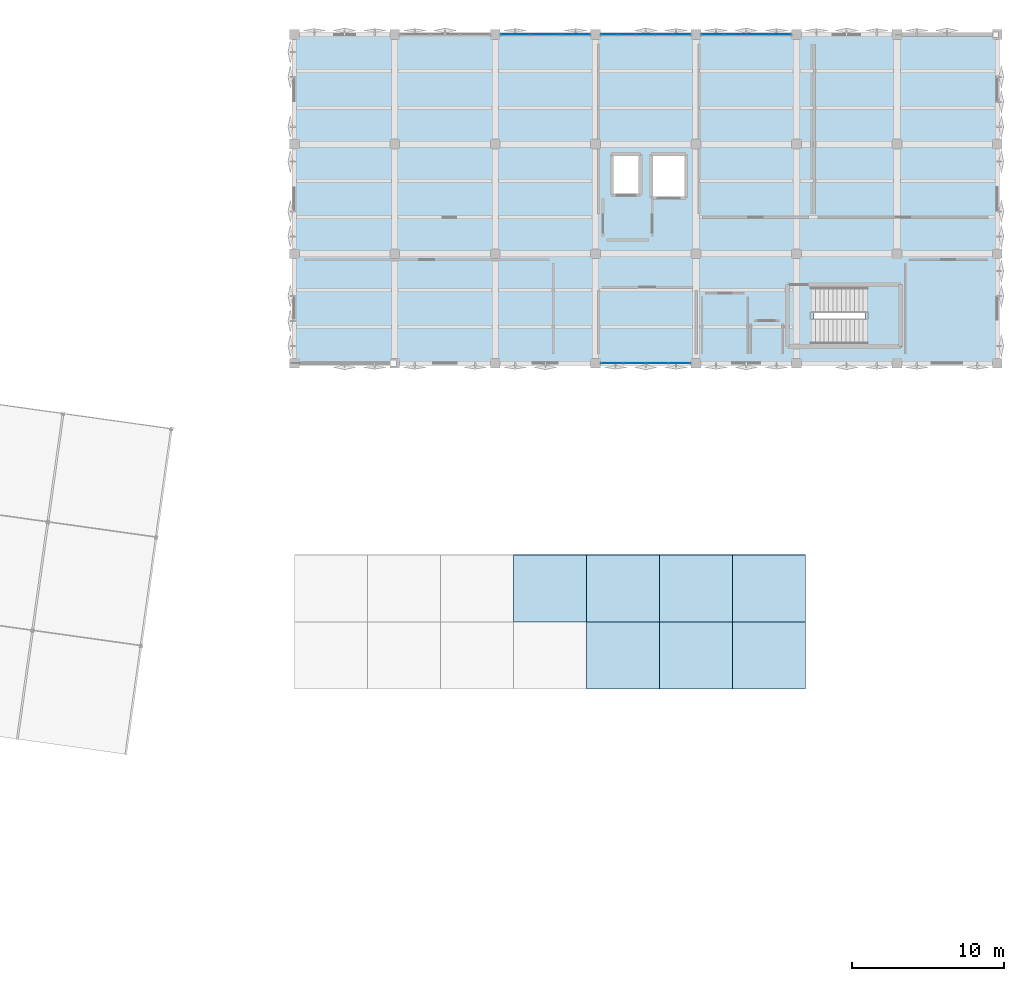
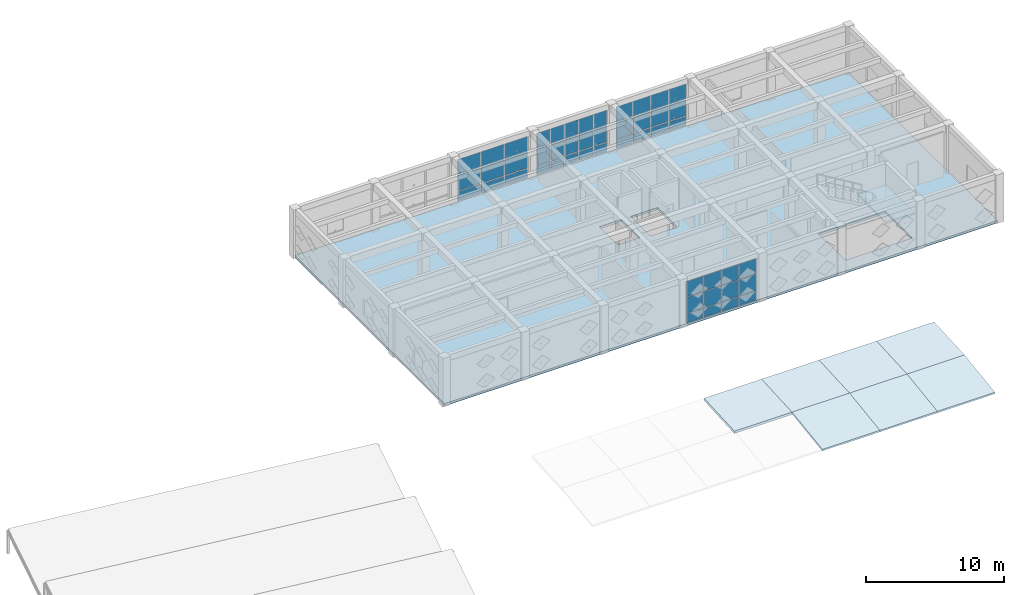
# One storey, part 30 of 48: 48 plates, 9 slabs, 5 elements without a shape of their own.
"""IFC4 building model written with IfcOpenShell, lengths in metres."""

from ifc_helpers import new_model, si_unit, direction, frame, origin, origin_2d, place, context, subcontext, project, spatial, polyline, rectangle, outline, extrude, material, layer, layer_set, type_object, element, aggregate, save


model = new_model("IFC4")

# Units and contexts
model_context = context("Model", 3, precision=1e-05, world=origin(), true_north=direction((0.0, 1.0)))
body_context = subcontext(model_context, "Body", "Model", "MODEL_VIEW")
ifc_project = project(units=[si_unit("LENGTHUNIT", "METRE"), si_unit("AREAUNIT", "SQUARE_METRE"), si_unit("VOLUMEUNIT", "CUBIC_METRE"), si_unit("PLANEANGLEUNIT", "RADIAN"), si_unit("MASSUNIT", "GRAM", prefix="KILO")], contexts=[model_context])

# Site, building, storey
site_placement = place(None, origin())
site = spatial("IfcSite", under=ifc_project, at=site_placement, CompositionType="ELEMENT")
building_placement = place(site_placement, origin())
building = spatial("IfcBuilding", under=site, at=building_placement, Name="Kharisveld Research Institute", CompositionType="ELEMENT")
storey_placement = place(building_placement, frame((0.0, 0.0, 14.10009765625)))
storey = spatial("IfcBuildingStorey", under=building, at=storey_placement, Name="L03", CompositionType="ELEMENT", Elevation=14.10009765625)

# Curtain wall, plates
ifc_material_1 = material(Name="Thermally Broken Aluminium Curtain Wall", Category="aluminium")
ifc_layer_1 = layer(ifc_material_1, 0.159912109375)
ifc_layer_set_1 = layer_set([ifc_layer_1], Name="CW_SYS_06")
curtain_wall_type_1 = type_object("IfcCurtainWallType", Name="CW_SYS_06", PredefinedType="NOTDEFINED", material=ifc_layer_set_1)
curtain_wall_1_placement = place(storey_placement, origin())
curtain_wall_1 = element("IfcCurtainWall", 1, at=curtain_wall_1_placement, inside=storey, type_object=curtain_wall_type_1, Name="CW:V2:L03:N2", PredefinedType="NOTDEFINED")
ifc_material_2 = material(Name="Low-E Double Glazing", Category="glass")
ifc_layer_2 = layer(ifc_material_2, 0.028076171875)
ifc_layer_set_2 = layer_set([ifc_layer_2], Name="CW_PNL_GLZ")
plate_type = type_object("IfcPlateType", Name="CW_PNL_GLZ", PredefinedType="CURTAIN_PANEL", material=ifc_layer_set_2)
plate_1_placement = place(storey_placement, frame((129.129638671875, 60.800048828125, 0.059814453125), z_axis=(0.0, 0.0, 1.0), x_axis=(1.0, 0.0, 0.0)))
plate_1 = element("IfcPlate", 2, at=plate_1_placement, type_object=plate_type, Name="CW-06 panel 1.1", PredefinedType="CURTAIN_PANEL", context=body_context, shape_type="SweptSolid", body=[
    extrude(rectangle(XDim=1.88916015625, YDim=0.028076171875, at=origin_2d()), origin(), (0.0, 0.0, 1.0), 0.81005859375),
])
plate_2_placement = place(storey_placement, frame((129.129638671875, 60.800048828125, 0.93017578125), z_axis=(0.0, 0.0, 1.0), x_axis=(1.0, 0.0, 0.0)))
plate_2 = element("IfcPlate", 3, at=plate_2_placement, type_object=plate_type, Name="CW-06 panel 1.2", PredefinedType="CURTAIN_PANEL", context=body_context, shape_type="SweptSolid", body=[
    extrude(rectangle(XDim=1.88916015625, YDim=0.028076171875, at=origin_2d()), origin(), (0.0, 0.0, 1.0), 1.389892578125),
])
plate_3_placement = place(storey_placement, frame((129.129638671875, 60.800048828125, 2.3798828125), z_axis=(0.0, 0.0, 1.0), x_axis=(1.0, 0.0, 0.0)))
plate_3 = element("IfcPlate", 4, at=plate_3_placement, type_object=plate_type, Name="CW-06 panel 1.3", PredefinedType="CURTAIN_PANEL", context=body_context, shape_type="SweptSolid", body=[
    extrude(rectangle(XDim=1.88916015625, YDim=0.028076171875, at=origin_2d()), origin(), (0.0, 0.0, 1.0), 1.340087890625),
])
plate_4_placement = place(storey_placement, frame((131.10009765625, 60.800048828125, 0.059814453125), z_axis=(0.0, 0.0, 1.0), x_axis=(1.0, 0.0, 0.0)))
plate_4 = element("IfcPlate", 5, at=plate_4_placement, type_object=plate_type, Name="CW-06 panel 2.1", PredefinedType="CURTAIN_PANEL", context=body_context, shape_type="SweptSolid", body=[
    extrude(rectangle(XDim=1.921630859375, YDim=0.028076171875, at=origin_2d()), origin(), (0.0, 0.0, 1.0), 0.81005859375),
])
plate_5_placement = place(storey_placement, frame((131.10009765625, 60.800048828125, 0.93017578125), z_axis=(0.0, 0.0, 1.0), x_axis=(1.0, 0.0, 0.0)))
plate_5 = element("IfcPlate", 6, at=plate_5_placement, type_object=plate_type, Name="CW-06 panel 2.2", PredefinedType="CURTAIN_PANEL", context=body_context, shape_type="SweptSolid", body=[
    extrude(rectangle(XDim=1.921630859375, YDim=0.028076171875, at=origin_2d()), origin(), (0.0, 0.0, 1.0), 1.389892578125),
])
plate_6_placement = place(storey_placement, frame((131.10009765625, 60.800048828125, 2.3798828125), z_axis=(0.0, 0.0, 1.0), x_axis=(1.0, 0.0, 0.0)))
plate_6 = element("IfcPlate", 7, at=plate_6_placement, type_object=plate_type, Name="CW-06 panel 2.3", PredefinedType="CURTAIN_PANEL", context=body_context, shape_type="SweptSolid", body=[
    extrude(rectangle(XDim=1.921630859375, YDim=0.028076171875, at=origin_2d()), origin(), (0.0, 0.0, 1.0), 1.340087890625),
])
plate_7_placement = place(storey_placement, frame((133.0703125, 60.800048828125, 0.059814453125), z_axis=(0.0, 0.0, 1.0), x_axis=(1.0, 0.0, 0.0)))
plate_7 = element("IfcPlate", 8, at=plate_7_placement, type_object=plate_type, Name="CW-06 panel 3.1", PredefinedType="CURTAIN_PANEL", context=body_context, shape_type="SweptSolid", body=[
    extrude(rectangle(XDim=1.88916015625, YDim=0.028076171875, at=origin_2d()), origin(), (0.0, 0.0, 1.0), 0.81005859375),
])
plate_8_placement = place(storey_placement, frame((133.0703125, 60.800048828125, 0.93017578125), z_axis=(0.0, 0.0, 1.0), x_axis=(1.0, 0.0, 0.0)))
plate_8 = element("IfcPlate", 9, at=plate_8_placement, type_object=plate_type, Name="CW-06 panel 3.2", PredefinedType="CURTAIN_PANEL", context=body_context, shape_type="SweptSolid", body=[
    extrude(rectangle(XDim=1.88916015625, YDim=0.028076171875, at=origin_2d()), origin(), (0.0, 0.0, 1.0), 1.389892578125),
])
plate_9_placement = place(storey_placement, frame((133.0703125, 60.800048828125, 2.3798828125), z_axis=(0.0, 0.0, 1.0), x_axis=(1.0, 0.0, 0.0)))
plate_9 = element("IfcPlate", 10, at=plate_9_placement, type_object=plate_type, Name="CW-06 panel 3.3", PredefinedType="CURTAIN_PANEL", context=body_context, shape_type="SweptSolid", body=[
    extrude(rectangle(XDim=1.88916015625, YDim=0.028076171875, at=origin_2d()), origin(), (0.0, 0.0, 1.0), 1.340087890625),
])
aggregate(curtain_wall_1, [plate_1, plate_2, plate_3, plate_4, plate_5, plate_6, plate_7, plate_8, plate_9])

ifc_material_3 = material(Name="Thermally Broken Aluminium Curtain Wall", Category="aluminium")
ifc_layer_3 = layer(ifc_material_3, 0.159912109375)
ifc_layer_set_3 = layer_set([ifc_layer_3], Name="CW_SYS_01")
curtain_wall_type_2 = type_object("IfcCurtainWallType", Name="CW_SYS_01", PredefinedType="NOTDEFINED", material=ifc_layer_set_3)
curtain_wall_2_placement = place(storey_placement, origin())
curtain_wall_2 = element("IfcCurtainWall", 11, at=curtain_wall_2_placement, inside=storey, type_object=curtain_wall_type_2, Name="CW:V2:L03:N3", PredefinedType="NOTDEFINED")
plate_10_placement = place(storey_placement, frame((135.332275390625, 60.800048828125, 0.059814453125), z_axis=(0.0, 0.0, 1.0), x_axis=(1.0, 0.0, 0.0)))
plate_10 = element("IfcPlate", 12, at=plate_10_placement, type_object=plate_type, Name="CW-01 panel 1.1", PredefinedType="CURTAIN_PANEL", context=body_context, shape_type="SweptSolid", body=[
    extrude(rectangle(XDim=1.094482421875, YDim=0.028076171875, at=origin_2d()), origin(), (0.0, 0.0, 1.0), 0.81005859375),
])
plate_11_placement = place(storey_placement, frame((135.332275390625, 60.800048828125, 0.93017578125), z_axis=(0.0, 0.0, 1.0), x_axis=(1.0, 0.0, 0.0)))
plate_11 = element("IfcPlate", 13, at=plate_11_placement, type_object=plate_type, Name="CW-01 panel 1.2", PredefinedType="CURTAIN_PANEL", context=body_context, shape_type="SweptSolid", body=[
    extrude(rectangle(XDim=1.094482421875, YDim=0.028076171875, at=origin_2d()), origin(), (0.0, 0.0, 1.0), 1.389892578125),
])
plate_12_placement = place(storey_placement, frame((135.332275390625, 60.800048828125, 2.3798828125), z_axis=(0.0, 0.0, 1.0), x_axis=(1.0, 0.0, 0.0)))
plate_12 = element("IfcPlate", 14, at=plate_12_placement, type_object=plate_type, Name="CW-01 panel 1.3", PredefinedType="CURTAIN_PANEL", context=body_context, shape_type="SweptSolid", body=[
    extrude(rectangle(XDim=1.094482421875, YDim=0.028076171875, at=origin_2d()), origin(), (0.0, 0.0, 1.0), 1.340087890625),
])
plate_13_placement = place(storey_placement, frame((136.508056640625, 60.800048828125, 0.059814453125), z_axis=(0.0, 0.0, 1.0), x_axis=(1.0, 0.0, 0.0)))
plate_13 = element("IfcPlate", 15, at=plate_13_placement, type_object=plate_type, Name="CW-01 panel 2.1", PredefinedType="CURTAIN_PANEL", context=body_context, shape_type="SweptSolid", body=[
    extrude(rectangle(XDim=1.126953125, YDim=0.028076171875, at=origin_2d()), origin(), (0.0, 0.0, 1.0), 0.81005859375),
])
plate_14_placement = place(storey_placement, frame((136.508056640625, 60.800048828125, 0.93017578125), z_axis=(0.0, 0.0, 1.0), x_axis=(1.0, 0.0, 0.0)))
plate_14 = element("IfcPlate", 16, at=plate_14_placement, type_object=plate_type, Name="CW-01 panel 2.2", PredefinedType="CURTAIN_PANEL", context=body_context, shape_type="SweptSolid", body=[
    extrude(rectangle(XDim=1.126953125, YDim=0.028076171875, at=origin_2d()), origin(), (0.0, 0.0, 1.0), 1.389892578125),
])
plate_15_placement = place(storey_placement, frame((136.508056640625, 60.800048828125, 2.3798828125), z_axis=(0.0, 0.0, 1.0), x_axis=(1.0, 0.0, 0.0)))
plate_15 = element("IfcPlate", 17, at=plate_15_placement, type_object=plate_type, Name="CW-01 panel 2.3", PredefinedType="CURTAIN_PANEL", context=body_context, shape_type="SweptSolid", body=[
    extrude(rectangle(XDim=1.126953125, YDim=0.028076171875, at=origin_2d()), origin(), (0.0, 0.0, 1.0), 1.340087890625),
])
plate_16_placement = place(storey_placement, frame((137.699951171875, 60.800048828125, 0.059814453125), z_axis=(0.0, 0.0, 1.0), x_axis=(1.0, 0.0, 0.0)))
plate_16 = element("IfcPlate", 18, at=plate_16_placement, type_object=plate_type, Name="CW-01 panel 3.1", PredefinedType="CURTAIN_PANEL", context=body_context, shape_type="SweptSolid", body=[
    extrude(rectangle(XDim=1.126953125, YDim=0.028076171875, at=origin_2d()), origin(), (0.0, 0.0, 1.0), 0.81005859375),
])
plate_17_placement = place(storey_placement, frame((137.699951171875, 60.800048828125, 0.93017578125), z_axis=(0.0, 0.0, 1.0), x_axis=(1.0, 0.0, 0.0)))
plate_17 = element("IfcPlate", 19, at=plate_17_placement, type_object=plate_type, Name="CW-01 panel 3.2", PredefinedType="CURTAIN_PANEL", context=body_context, shape_type="SweptSolid", body=[
    extrude(rectangle(XDim=1.126953125, YDim=0.028076171875, at=origin_2d()), origin(), (0.0, 0.0, 1.0), 1.389892578125),
])
plate_18_placement = place(storey_placement, frame((137.699951171875, 60.800048828125, 2.3798828125), z_axis=(0.0, 0.0, 1.0), x_axis=(1.0, 0.0, 0.0)))
plate_18 = element("IfcPlate", 20, at=plate_18_placement, type_object=plate_type, Name="CW-01 panel 3.3", PredefinedType="CURTAIN_PANEL", context=body_context, shape_type="SweptSolid", body=[
    extrude(rectangle(XDim=1.126953125, YDim=0.028076171875, at=origin_2d()), origin(), (0.0, 0.0, 1.0), 1.340087890625),
])
plate_19_placement = place(storey_placement, frame((138.89208984375, 60.800048828125, 0.059814453125), z_axis=(0.0, 0.0, 1.0), x_axis=(1.0, 0.0, 0.0)))
plate_19 = element("IfcPlate", 21, at=plate_19_placement, type_object=plate_type, Name="CW-01 panel 4.1", PredefinedType="CURTAIN_PANEL", context=body_context, shape_type="SweptSolid", body=[
    extrude(rectangle(XDim=1.126953125, YDim=0.028076171875, at=origin_2d()), origin(), (0.0, 0.0, 1.0), 0.81005859375),
])
plate_20_placement = place(storey_placement, frame((138.89208984375, 60.800048828125, 0.93017578125), z_axis=(0.0, 0.0, 1.0), x_axis=(1.0, 0.0, 0.0)))
plate_20 = element("IfcPlate", 22, at=plate_20_placement, type_object=plate_type, Name="CW-01 panel 4.2", PredefinedType="CURTAIN_PANEL", context=body_context, shape_type="SweptSolid", body=[
    extrude(rectangle(XDim=1.126953125, YDim=0.028076171875, at=origin_2d()), origin(), (0.0, 0.0, 1.0), 1.389892578125),
])
plate_21_placement = place(storey_placement, frame((138.89208984375, 60.800048828125, 2.3798828125), z_axis=(0.0, 0.0, 1.0), x_axis=(1.0, 0.0, 0.0)))
plate_21 = element("IfcPlate", 23, at=plate_21_placement, type_object=plate_type, Name="CW-01 panel 4.3", PredefinedType="CURTAIN_PANEL", context=body_context, shape_type="SweptSolid", body=[
    extrude(rectangle(XDim=1.126953125, YDim=0.028076171875, at=origin_2d()), origin(), (0.0, 0.0, 1.0), 1.340087890625),
])
plate_22_placement = place(storey_placement, frame((140.06787109375, 60.800048828125, 0.059814453125), z_axis=(0.0, 0.0, 1.0), x_axis=(1.0, 0.0, 0.0)))
plate_22 = element("IfcPlate", 24, at=plate_22_placement, type_object=plate_type, Name="CW-01 panel 5.1", PredefinedType="CURTAIN_PANEL", context=body_context, shape_type="SweptSolid", body=[
    extrude(rectangle(XDim=1.094482421875, YDim=0.028076171875, at=origin_2d()), origin(), (0.0, 0.0, 1.0), 0.81005859375),
])
plate_23_placement = place(storey_placement, frame((140.06787109375, 60.800048828125, 0.93017578125), z_axis=(0.0, 0.0, 1.0), x_axis=(1.0, 0.0, 0.0)))
plate_23 = element("IfcPlate", 25, at=plate_23_placement, type_object=plate_type, Name="CW-01 panel 5.2", PredefinedType="CURTAIN_PANEL", context=body_context, shape_type="SweptSolid", body=[
    extrude(rectangle(XDim=1.094482421875, YDim=0.028076171875, at=origin_2d()), origin(), (0.0, 0.0, 1.0), 1.389892578125),
])
plate_24_placement = place(storey_placement, frame((140.06787109375, 60.800048828125, 2.3798828125), z_axis=(0.0, 0.0, 1.0), x_axis=(1.0, 0.0, 0.0)))
plate_24 = element("IfcPlate", 26, at=plate_24_placement, type_object=plate_type, Name="CW-01 panel 5.3", PredefinedType="CURTAIN_PANEL", context=body_context, shape_type="SweptSolid", body=[
    extrude(rectangle(XDim=1.094482421875, YDim=0.028076171875, at=origin_2d()), origin(), (0.0, 0.0, 1.0), 1.340087890625),
])
aggregate(curtain_wall_2, [plate_10, plate_11, plate_12, plate_13, plate_14, plate_15, plate_16, plate_17, plate_18, plate_19, plate_20, plate_21, plate_22, plate_23, plate_24])

ifc_material_4 = material(Name="Thermally Broken Aluminium Curtain Wall", Category="aluminium")
ifc_layer_4 = layer(ifc_material_4, 0.159912109375)
ifc_layer_set_4 = layer_set([ifc_layer_4], Name="CW_SYS_02")
curtain_wall_type_3 = type_object("IfcCurtainWallType", Name="CW_SYS_02", PredefinedType="NOTDEFINED", material=ifc_layer_set_4)
curtain_wall_3_placement = place(storey_placement, origin())
curtain_wall_3 = element("IfcCurtainWall", 27, at=curtain_wall_3_placement, inside=storey, type_object=curtain_wall_type_3, Name="CW:V2:L03:N4", PredefinedType="NOTDEFINED")
plate_25_placement = place(storey_placement, frame((142.081298828125, 60.800048828125, 0.059814453125), z_axis=(0.0, 0.0, 1.0), x_axis=(1.0, 0.0, 0.0)))
plate_25 = element("IfcPlate", 28, at=plate_25_placement, type_object=plate_type, Name="CW-02 panel 1.1", PredefinedType="CURTAIN_PANEL", context=body_context, shape_type="SweptSolid", body=[
    extrude(rectangle(XDim=1.392578125, YDim=0.028076171875, at=origin_2d()), origin(), (0.0, 0.0, 1.0), 0.81005859375),
])
plate_26_placement = place(storey_placement, frame((142.081298828125, 60.800048828125, 0.93017578125), z_axis=(0.0, 0.0, 1.0), x_axis=(1.0, 0.0, 0.0)))
plate_26 = element("IfcPlate", 29, at=plate_26_placement, type_object=plate_type, Name="CW-02 panel 1.2", PredefinedType="CURTAIN_PANEL", context=body_context, shape_type="SweptSolid", body=[
    extrude(rectangle(XDim=1.392578125, YDim=0.028076171875, at=origin_2d()), origin(), (0.0, 0.0, 1.0), 1.389892578125),
])
plate_27_placement = place(storey_placement, frame((142.081298828125, 60.800048828125, 2.3798828125), z_axis=(0.0, 0.0, 1.0), x_axis=(1.0, 0.0, 0.0)))
plate_27 = element("IfcPlate", 30, at=plate_27_placement, type_object=plate_type, Name="CW-02 panel 1.3", PredefinedType="CURTAIN_PANEL", context=body_context, shape_type="SweptSolid", body=[
    extrude(rectangle(XDim=1.392578125, YDim=0.028076171875, at=origin_2d()), origin(), (0.0, 0.0, 1.0), 1.340087890625),
])
plate_28_placement = place(storey_placement, frame((143.554931640625, 60.800048828125, 0.059814453125), z_axis=(0.0, 0.0, 1.0), x_axis=(1.0, 0.0, 0.0)))
plate_28 = element("IfcPlate", 31, at=plate_28_placement, type_object=plate_type, Name="CW-02 panel 2.1", PredefinedType="CURTAIN_PANEL", context=body_context, shape_type="SweptSolid", body=[
    extrude(rectangle(XDim=1.425048828125, YDim=0.028076171875, at=origin_2d()), origin(), (0.0, 0.0, 1.0), 0.81005859375),
])
plate_29_placement = place(storey_placement, frame((143.554931640625, 60.800048828125, 0.93017578125), z_axis=(0.0, 0.0, 1.0), x_axis=(1.0, 0.0, 0.0)))
plate_29 = element("IfcPlate", 32, at=plate_29_placement, type_object=plate_type, Name="CW-02 panel 2.2", PredefinedType="CURTAIN_PANEL", context=body_context, shape_type="SweptSolid", body=[
    extrude(rectangle(XDim=1.425048828125, YDim=0.028076171875, at=origin_2d()), origin(), (0.0, 0.0, 1.0), 1.389892578125),
])
plate_30_placement = place(storey_placement, frame((143.554931640625, 60.800048828125, 2.3798828125), z_axis=(0.0, 0.0, 1.0), x_axis=(1.0, 0.0, 0.0)))
plate_30 = element("IfcPlate", 33, at=plate_30_placement, type_object=plate_type, Name="CW-02 panel 2.3", PredefinedType="CURTAIN_PANEL", context=body_context, shape_type="SweptSolid", body=[
    extrude(rectangle(XDim=1.425048828125, YDim=0.028076171875, at=origin_2d()), origin(), (0.0, 0.0, 1.0), 1.340087890625),
])
plate_31_placement = place(storey_placement, frame((145.044921875, 60.800048828125, 0.059814453125), z_axis=(0.0, 0.0, 1.0), x_axis=(1.0, 0.0, 0.0)))
plate_31 = element("IfcPlate", 34, at=plate_31_placement, type_object=plate_type, Name="CW-02 panel 3.1", PredefinedType="CURTAIN_PANEL", context=body_context, shape_type="SweptSolid", body=[
    extrude(rectangle(XDim=1.425048828125, YDim=0.028076171875, at=origin_2d()), origin(), (0.0, 0.0, 1.0), 0.81005859375),
])
plate_32_placement = place(storey_placement, frame((145.044921875, 60.800048828125, 0.93017578125), z_axis=(0.0, 0.0, 1.0), x_axis=(1.0, 0.0, 0.0)))
plate_32 = element("IfcPlate", 35, at=plate_32_placement, type_object=plate_type, Name="CW-02 panel 3.2", PredefinedType="CURTAIN_PANEL", context=body_context, shape_type="SweptSolid", body=[
    extrude(rectangle(XDim=1.425048828125, YDim=0.028076171875, at=origin_2d()), origin(), (0.0, 0.0, 1.0), 1.389892578125),
])
plate_33_placement = place(storey_placement, frame((145.044921875, 60.800048828125, 2.3798828125), z_axis=(0.0, 0.0, 1.0), x_axis=(1.0, 0.0, 0.0)))
plate_33 = element("IfcPlate", 36, at=plate_33_placement, type_object=plate_type, Name="CW-02 panel 3.3", PredefinedType="CURTAIN_PANEL", context=body_context, shape_type="SweptSolid", body=[
    extrude(rectangle(XDim=1.425048828125, YDim=0.028076171875, at=origin_2d()), origin(), (0.0, 0.0, 1.0), 1.340087890625),
])
plate_34_placement = place(storey_placement, frame((146.518798828125, 60.800048828125, 0.059814453125), z_axis=(0.0, 0.0, 1.0), x_axis=(1.0, 0.0, 0.0)))
plate_34 = element("IfcPlate", 37, at=plate_34_placement, type_object=plate_type, Name="CW-02 panel 4.1", PredefinedType="CURTAIN_PANEL", context=body_context, shape_type="SweptSolid", body=[
    extrude(rectangle(XDim=1.392578125, YDim=0.028076171875, at=origin_2d()), origin(), (0.0, 0.0, 1.0), 0.81005859375),
])
plate_35_placement = place(storey_placement, frame((146.518798828125, 60.800048828125, 0.93017578125), z_axis=(0.0, 0.0, 1.0), x_axis=(1.0, 0.0, 0.0)))
plate_35 = element("IfcPlate", 38, at=plate_35_placement, type_object=plate_type, Name="CW-02 panel 4.2", PredefinedType="CURTAIN_PANEL", context=body_context, shape_type="SweptSolid", body=[
    extrude(rectangle(XDim=1.392578125, YDim=0.028076171875, at=origin_2d()), origin(), (0.0, 0.0, 1.0), 1.389892578125),
])
plate_36_placement = place(storey_placement, frame((146.518798828125, 60.800048828125, 2.3798828125), z_axis=(0.0, 0.0, 1.0), x_axis=(1.0, 0.0, 0.0)))
plate_36 = element("IfcPlate", 39, at=plate_36_placement, type_object=plate_type, Name="CW-02 panel 4.3", PredefinedType="CURTAIN_PANEL", context=body_context, shape_type="SweptSolid", body=[
    extrude(rectangle(XDim=1.392578125, YDim=0.028076171875, at=origin_2d()), origin(), (0.0, 0.0, 1.0), 1.340087890625),
])
aggregate(curtain_wall_3, [plate_25, plate_26, plate_27, plate_28, plate_29, plate_30, plate_31, plate_32, plate_33, plate_34, plate_35, plate_36])

ifc_material_5 = material(Name="Thermally Broken Aluminium Curtain Wall", Category="aluminium")
ifc_layer_5 = layer(ifc_material_5, 0.159912109375)
ifc_layer_set_5 = layer_set([ifc_layer_5], Name="CW_SYS_03")
curtain_wall_type_4 = type_object("IfcCurtainWallType", Name="CW_SYS_03", PredefinedType="NOTDEFINED", material=ifc_layer_set_5)
curtain_wall_4_placement = place(storey_placement, origin())
curtain_wall_4 = element("IfcCurtainWall", 40, at=curtain_wall_4_placement, inside=storey, type_object=curtain_wall_type_4, Name="CW:V2:L03:S4", PredefinedType="NOTDEFINED")
plate_37_placement = place(storey_placement, frame((139.918701171875, 39.199951171875, 0.059814453125), z_axis=(0.0, 0.0, 1.0), x_axis=(-1.0, 0.0, 0.0)))
plate_37 = element("IfcPlate", 41, at=plate_37_placement, type_object=plate_type, Name="CW-03 panel 1.1", PredefinedType="CURTAIN_PANEL", context=body_context, shape_type="SweptSolid", body=[
    extrude(rectangle(XDim=1.392578125, YDim=0.028076171875, at=origin_2d()), origin(), (0.0, 0.0, 1.0), 0.81005859375),
])
plate_38_placement = place(storey_placement, frame((139.918701171875, 39.199951171875, 0.93017578125), z_axis=(0.0, 0.0, 1.0), x_axis=(-1.0, 0.0, 0.0)))
plate_38 = element("IfcPlate", 42, at=plate_38_placement, type_object=plate_type, Name="CW-03 panel 1.2", PredefinedType="CURTAIN_PANEL", context=body_context, shape_type="SweptSolid", body=[
    extrude(rectangle(XDim=1.392578125, YDim=0.028076171875, at=origin_2d()), origin(), (0.0, 0.0, 1.0), 1.389892578125),
])
plate_39_placement = place(storey_placement, frame((139.918701171875, 39.199951171875, 2.3798828125), z_axis=(0.0, 0.0, 1.0), x_axis=(-1.0, 0.0, 0.0)))
plate_39 = element("IfcPlate", 43, at=plate_39_placement, type_object=plate_type, Name="CW-03 panel 1.3", PredefinedType="CURTAIN_PANEL", context=body_context, shape_type="SweptSolid", body=[
    extrude(rectangle(XDim=1.392578125, YDim=0.028076171875, at=origin_2d()), origin(), (0.0, 0.0, 1.0), 1.340087890625),
])
plate_40_placement = place(storey_placement, frame((138.445068359375, 39.199951171875, 0.059814453125), z_axis=(0.0, 0.0, 1.0), x_axis=(-1.0, 0.0, 0.0)))
plate_40 = element("IfcPlate", 44, at=plate_40_placement, type_object=plate_type, Name="CW-03 panel 2.1", PredefinedType="CURTAIN_PANEL", context=body_context, shape_type="SweptSolid", body=[
    extrude(rectangle(XDim=1.425048828125, YDim=0.028076171875, at=origin_2d()), origin(), (0.0, 0.0, 1.0), 0.81005859375),
])
plate_41_placement = place(storey_placement, frame((138.445068359375, 39.199951171875, 0.93017578125), z_axis=(0.0, 0.0, 1.0), x_axis=(-1.0, 0.0, 0.0)))
plate_41 = element("IfcPlate", 45, at=plate_41_placement, type_object=plate_type, Name="CW-03 panel 2.2", PredefinedType="CURTAIN_PANEL", context=body_context, shape_type="SweptSolid", body=[
    extrude(rectangle(XDim=1.425048828125, YDim=0.028076171875, at=origin_2d()), origin(), (0.0, 0.0, 1.0), 1.389892578125),
])
plate_42_placement = place(storey_placement, frame((138.445068359375, 39.199951171875, 2.3798828125), z_axis=(0.0, 0.0, 1.0), x_axis=(-1.0, 0.0, 0.0)))
plate_42 = element("IfcPlate", 46, at=plate_42_placement, type_object=plate_type, Name="CW-03 panel 2.3", PredefinedType="CURTAIN_PANEL", context=body_context, shape_type="SweptSolid", body=[
    extrude(rectangle(XDim=1.425048828125, YDim=0.028076171875, at=origin_2d()), origin(), (0.0, 0.0, 1.0), 1.340087890625),
])
plate_43_placement = place(storey_placement, frame((136.955078125, 39.199951171875, 0.059814453125), z_axis=(0.0, 0.0, 1.0), x_axis=(-1.0, 0.0, 0.0)))
plate_43 = element("IfcPlate", 47, at=plate_43_placement, type_object=plate_type, Name="CW-03 panel 3.1", PredefinedType="CURTAIN_PANEL", context=body_context, shape_type="SweptSolid", body=[
    extrude(rectangle(XDim=1.425048828125, YDim=0.028076171875, at=origin_2d()), origin(), (0.0, 0.0, 1.0), 0.81005859375),
])
plate_44_placement = place(storey_placement, frame((136.955078125, 39.199951171875, 0.93017578125), z_axis=(0.0, 0.0, 1.0), x_axis=(-1.0, 0.0, 0.0)))
plate_44 = element("IfcPlate", 48, at=plate_44_placement, type_object=plate_type, Name="CW-03 panel 3.2", PredefinedType="CURTAIN_PANEL", context=body_context, shape_type="SweptSolid", body=[
    extrude(rectangle(XDim=1.425048828125, YDim=0.028076171875, at=origin_2d()), origin(), (0.0, 0.0, 1.0), 1.389892578125),
])
plate_45_placement = place(storey_placement, frame((136.955078125, 39.199951171875, 2.3798828125), z_axis=(0.0, 0.0, 1.0), x_axis=(-1.0, 0.0, 0.0)))
plate_45 = element("IfcPlate", 49, at=plate_45_placement, type_object=plate_type, Name="CW-03 panel 3.3", PredefinedType="CURTAIN_PANEL", context=body_context, shape_type="SweptSolid", body=[
    extrude(rectangle(XDim=1.425048828125, YDim=0.028076171875, at=origin_2d()), origin(), (0.0, 0.0, 1.0), 1.340087890625),
])
plate_46_placement = place(storey_placement, frame((135.481201171875, 39.199951171875, 0.059814453125), z_axis=(0.0, 0.0, 1.0), x_axis=(-1.0, 0.0, 0.0)))
plate_46 = element("IfcPlate", 50, at=plate_46_placement, type_object=plate_type, Name="CW-03 panel 4.1", PredefinedType="CURTAIN_PANEL", context=body_context, shape_type="SweptSolid", body=[
    extrude(rectangle(XDim=1.392578125, YDim=0.028076171875, at=origin_2d()), origin(), (0.0, 0.0, 1.0), 0.81005859375),
])
plate_47_placement = place(storey_placement, frame((135.481201171875, 39.199951171875, 0.93017578125), z_axis=(0.0, 0.0, 1.0), x_axis=(-1.0, 0.0, 0.0)))
plate_47 = element("IfcPlate", 51, at=plate_47_placement, type_object=plate_type, Name="CW-03 panel 4.2", PredefinedType="CURTAIN_PANEL", context=body_context, shape_type="SweptSolid", body=[
    extrude(rectangle(XDim=1.392578125, YDim=0.028076171875, at=origin_2d()), origin(), (0.0, 0.0, 1.0), 1.389892578125),
])
plate_48_placement = place(storey_placement, frame((135.481201171875, 39.199951171875, 2.3798828125), z_axis=(0.0, 0.0, 1.0), x_axis=(-1.0, 0.0, 0.0)))
plate_48 = element("IfcPlate", 52, at=plate_48_placement, type_object=plate_type, Name="CW-03 panel 4.3", PredefinedType="CURTAIN_PANEL", context=body_context, shape_type="SweptSolid", body=[
    extrude(rectangle(XDim=1.392578125, YDim=0.028076171875, at=origin_2d()), origin(), (0.0, 0.0, 1.0), 1.340087890625),
])
aggregate(curtain_wall_4, [plate_37, plate_38, plate_39, plate_40, plate_41, plate_42, plate_43, plate_44, plate_45, plate_46, plate_47, plate_48])

# Slab
ifc_material_6 = material(Name="Concrete C40/50", Category="concrete")
ifc_layer_6 = layer(ifc_material_6, 0.199951171875)
ifc_layer_set_6 = layer_set([ifc_layer_6], Name="SL_FLR_200")
slab_type_1 = type_object("IfcSlabType", Name="SL_FLR_200", PredefinedType="FLOOR", material=ifc_layer_set_6)
slab_1_placement = place(storey_placement, frame((0.0, 0.0, -0.2001953125)))
element("IfcSlab", 53, at=slab_1_placement, inside=storey, type_object=slab_type_1, Name="SLAB:V2:L03:MAIN", PredefinedType="FLOOR", context=body_context, shape_type="SweptSolid", body=[
    extrude(outline(polyline([(114.60009765625, 39.199951171875), (160.800048828125, 39.199951171875), (160.800048828125, 60.800048828125), (114.60009765625, 60.800048828125), (114.60009765625, 39.199951171875)]), holes=[polyline([(154.35009765625, 44.260009765625), (154.35009765625, 40.39990234375), (148.75, 40.39990234375), (148.75, 44.260009765625), (154.35009765625, 44.260009765625)]), polyline([(140.320068359375, 50.080078125), (138.080078125, 50.080078125), (138.080078125, 52.919921875), (140.320068359375, 52.919921875), (140.320068359375, 50.080078125)]), polyline([(137.320068359375, 50.280029296875), (135.47998046875, 50.280029296875), (135.47998046875, 52.919921875), (137.320068359375, 52.919921875), (137.320068359375, 50.280029296875)])]), origin(), (0.0, 0.0, 1.0), 0.2001953125),
])

# Stair, slab
ifc_material_7 = material(Name="Concrete C40/50", Category="concrete")
stair_type = type_object("IfcStairType", Name="ST_EXIT_170", PredefinedType="TWO_STRAIGHT_RUN_STAIR", material=ifc_material_7)
stair_placement = place(storey_placement, origin())
stair = element("IfcStair", 54, at=stair_placement, inside=storey, type_object=stair_type, Name="STR:ST3:L03", PredefinedType="TWO_STRAIGHT_RUN_STAIR")
ifc_material_8 = material(Name="Concrete C40/50", Category="concrete")
ifc_layer_7 = layer(ifc_material_8, 0.179931640625)
ifc_layer_set_7 = layer_set([ifc_layer_7], Name="SL_LND_180")
slab_type_2 = type_object("IfcSlabType", Name="SL_LND_180", PredefinedType="LANDING", material=ifc_layer_set_7)
slab_2_placement = place(storey_placement, frame((0.0, 0.0, 2.06982421875)))
slab_2 = element("IfcSlab", 55, at=slab_2_placement, type_object=slab_type_2, Name="ST-03 landing 1", PredefinedType="LANDING", context=body_context, shape_type="SweptSolid", body=[
    extrude(outline(polyline([(152.094970703125, 40.27001953125), (154.5, 40.27001953125), (154.5, 44.389892578125), (152.094970703125, 44.389892578125), (152.094970703125, 40.27001953125)])), origin(), (0.0, 0.0, 1.0), 0.18017578125),
])
aggregate(stair, [slab_2])

# Slabs
ifc_material_9 = material(Name="Concrete C40/50", Category="concrete")
ifc_layer_8 = layer(ifc_material_9, 0.159912109375)
ifc_layer_set_8 = layer_set([ifc_layer_8], Name="SL_SHL_160")
slab_type_3 = type_object("IfcSlabType", Name="SL_SHL_160", PredefinedType="ROOF", material=ifc_layer_set_8)
slab_3_placement = place(storey_placement, frame((133.800048828125, 17.800048828125, 2.23388671875), z_axis=(0.0, -0.140044400055, 0.990145224709), x_axis=(1.0, 0.0, 0.0)))
element("IfcSlab", 56, at=slab_3_placement, inside=storey, type_object=slab_type_3, Name="SLAB:V5:L03:SHELL_B5_S5", PredefinedType="ROOF", context=body_context, shape_type="SweptSolid", body=[
    extrude(outline(polyline([(0.0, 0.0), (4.800048828125, 0.0), (4.800048828125, 4.443693949081665), (0.0, 4.443693949081665), (0.0, 0.0)])), origin(), (0.0, 0.0, -1.0), 0.159912109375),
])
slab_4_placement = place(storey_placement, frame((138.60009765625, 17.800048828125, 2.23388671875), z_axis=(0.0, -0.140044400055, 0.990145224709), x_axis=(1.0, 0.0, 0.0)))
element("IfcSlab", 57, at=slab_4_placement, inside=storey, type_object=slab_type_3, Name="SLAB:V5:L03:SHELL_B6_S5", PredefinedType="ROOF", context=body_context, shape_type="SweptSolid", body=[
    extrude(outline(polyline([(0.0, 0.0), (4.7998046875, 0.0), (4.7998046875, 4.443693949081665), (0.0, 4.443693949081665), (0.0, 0.0)])), origin(), (0.0, 0.0, -1.0), 0.159912109375),
])
slab_5_placement = place(storey_placement, frame((143.39990234375, 17.800048828125, 2.23388671875), z_axis=(0.0, -0.140044400055, 0.990145224709), x_axis=(1.0, 0.0, 0.0)))
element("IfcSlab", 58, at=slab_5_placement, inside=storey, type_object=slab_type_3, Name="SLAB:V5:L03:SHELL_B7_S5", PredefinedType="ROOF", context=body_context, shape_type="SweptSolid", body=[
    extrude(outline(polyline([(0.0, 0.0), (4.800048828125, 0.0), (4.800048828125, 4.443693949081665), (0.0, 4.443693949081665), (0.0, 0.0)])), origin(), (0.0, 0.0, -1.0), 0.159912109375),
])
ifc_material_10 = material(Name="Concrete C40/50", Category="concrete")
ifc_layer_9 = layer(ifc_material_10, 0.22998046875)
ifc_layer_set_9 = layer_set([ifc_layer_9], Name="SL_SHL_230")
slab_type_4 = type_object("IfcSlabType", Name="SL_SHL_230", PredefinedType="ROOF", material=ifc_layer_set_9)
for number, where, z_axis, x_axis, name in (
    (59, (129.0, 22.199951171875, 2.856201171875), (0.0, -0.055288989247, 0.998470393987), (1.0, 0.0, 0.0), "SLAB:V5:L03:SHELL_B4_S6"),
    (60, (133.800048828125, 22.199951171875, 2.856201171875), (0.0, -0.055288989247, 0.998470393987), (1.0, 0.0, 0.0), "SLAB:V5:L03:SHELL_B5_S6"),
):
    element("IfcSlab", number, at=place(storey_placement, frame(where, z_axis=z_axis, x_axis=x_axis)), inside=storey, type_object=slab_type_4, Name=name, PredefinedType="ROOF", context=body_context, shape_type="SweptSolid", body=[
        extrude(outline(polyline([(0.0, 0.0), (4.800048828125, 0.0), (4.800048828125, 4.406887285666896), (0.0, 4.406887285666896), (0.0, 0.0)])), origin(), (0.0, 0.0, -1.0), 0.22998046875),
    ])
slab_6_placement = place(storey_placement, frame((138.60009765625, 22.199951171875, 2.856201171875), z_axis=(0.0, -0.055288989247, 0.998470393987), x_axis=(1.0, 0.0, 0.0)))
element("IfcSlab", 61, at=slab_6_placement, inside=storey, type_object=slab_type_4, Name="SLAB:V5:L03:SHELL_B6_S6", PredefinedType="ROOF", context=body_context, shape_type="SweptSolid", body=[
    extrude(outline(polyline([(0.0, 0.0), (4.7998046875, 0.0), (4.7998046875, 4.406887285666897), (0.0, 4.406887285666897), (0.0, 0.0)])), origin(), (0.0, 0.0, -1.0), 0.22998046875),
])
slab_7_placement = place(storey_placement, frame((143.39990234375, 22.199951171875, 2.856201171875), z_axis=(0.0, -0.055288989247, 0.998470393987), x_axis=(1.0, 0.0, 0.0)))
element("IfcSlab", 62, at=slab_7_placement, inside=storey, type_object=slab_type_4, Name="SLAB:V5:L03:SHELL_B7_S6", PredefinedType="ROOF", context=body_context, shape_type="SweptSolid", body=[
    extrude(outline(polyline([(0.0, 0.0), (4.800048828125, 0.0), (4.800048828125, 4.406887285666896), (0.0, 4.406887285666896), (0.0, 0.0)])), origin(), (0.0, 0.0, -1.0), 0.22998046875),
])

save(model, "model.ifc")
